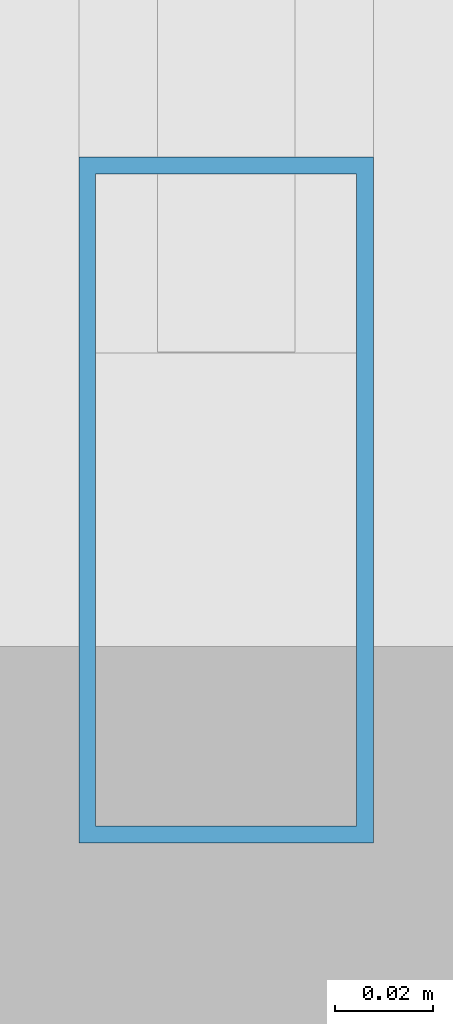
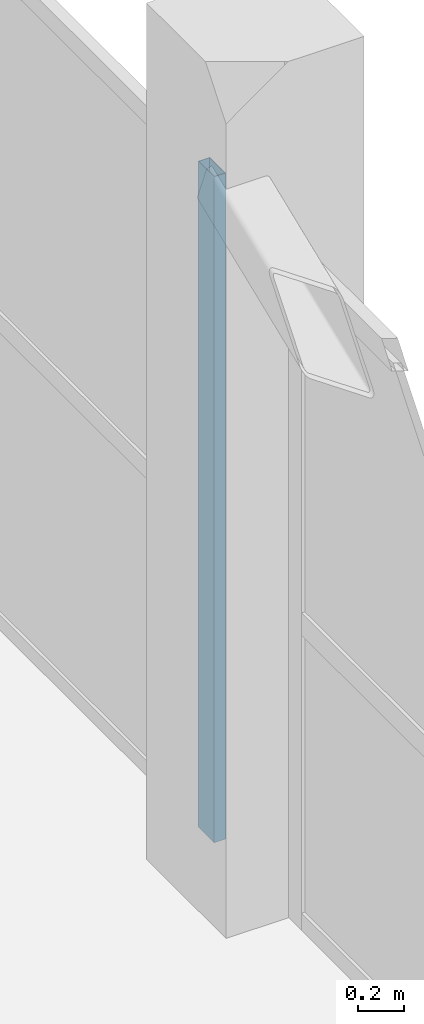
# One storey, part 14 of 58: 1 member, 1 element without a shape of its own.
"""IFC4 building model written with IfcOpenShell, lengths in metres."""

import ifcopenshell
import ifcopenshell.guid

model = None  # the IFC model being written
_history = None  # IfcOwnerHistory: only IFC2X3 demands one
_inside = {}  # id of a spatial element -> (the spatial element, [elements in it])
_under = {}  # id of a project, library or spatial element -> (it, [spatial elements below it])
_declared = {}  # id of a project -> (the project, [libraries it declares])
_typed = {}  # id of a type object -> (the type object, [elements of that type])
_made_of = {}  # id of a material, layer set ... -> (it, [elements and type objects made of it])


def new_model(schema):
    """Start an empty IFC model of exactly this schema.

    Asked for "IFC4X3", IfcOpenShell would pick the latest addendum, in which some entities
    have other attributes; the version numbers below select the first issue.
    IFC2X3 requires an IfcOwnerHistory on every rooted entity: one is made here for all.
    """
    global model, _history
    if schema == "IFC4X3":
        model = ifcopenshell.file(schema_version=(4, 3, 0, 0))
    else:
        model = ifcopenshell.file(schema=schema)
    _inside.clear()
    _under.clear()
    _declared.clear()
    _typed.clear()
    _made_of.clear()
    _history = None
    if model.schema == "IFC2X3":
        org = make("IfcOrganization", Name="unknown")
        user = make(
            "IfcPersonAndOrganization",
            ThePerson=make("IfcPerson", FamilyName="unknown"),
            TheOrganization=org,
        )
        app = make(
            "IfcApplication",
            ApplicationDeveloper=org,
            Version="unknown",
            ApplicationFullName="unknown",
            ApplicationIdentifier="unknown",
        )
        _history = make(
            "IfcOwnerHistory",
            OwningUser=user,
            OwningApplication=app,
            ChangeAction="ADDED",
            CreationDate=0,
        )
    return model


def make(cls, **values):
    """One entity of the class cls with the attributes given. An attribute that is None is left unset."""
    return model.create_entity(
        cls, **{name: value for name, value in values.items() if value is not None}
    )


def rooted(cls, **values):
    """An entity with a GlobalId (a new one), such as an element, a storey or a relation."""
    return make(cls, GlobalId=ifcopenshell.guid.new(), OwnerHistory=_history, **values)


def si_unit(unit_type, name, prefix=None):
    """IfcSIUnit, for example si_unit("LENGTHUNIT", "METRE", prefix="MILLI")."""
    return make("IfcSIUnit", UnitType=unit_type, Prefix=prefix, Name=name)


def assignment(units):
    """IfcUnitAssignment: the units of a project."""
    return None if units is None else make("IfcUnitAssignment", Units=units)


def point(xyz):
    """IfcCartesianPoint."""
    return None if xyz is None else make("IfcCartesianPoint", Coordinates=xyz)


def direction(xyz):
    """IfcDirection."""
    return None if xyz is None else make("IfcDirection", DirectionRatios=xyz)


def frame(location, z_axis=None, x_axis=None):
    """IfcAxis2Placement3D, a coordinate frame: its origin and axes. An axis left out is left unset."""
    return make(
        "IfcAxis2Placement3D",
        Location=point(location),
        Axis=direction(z_axis),
        RefDirection=direction(x_axis),
    )


def frame_2d(location, x_axis=None):
    """IfcAxis2Placement2D, a coordinate frame in the plane: its origin and x axis."""
    return make(
        "IfcAxis2Placement2D", Location=point(location), RefDirection=direction(x_axis)
    )


def origin():
    """The frame at (0, 0, 0) with its axes left unset."""
    return frame((0.0, 0.0, 0.0))


def origin_2d():
    """The frame at (0, 0) in the plane with its x axis left unset."""
    return frame_2d((0.0, 0.0))


def place(relative_to, where):
    """IfcLocalPlacement: puts the frame where relative to a parent placement (None: the world)."""
    return make(
        "IfcLocalPlacement", PlacementRelTo=relative_to, RelativePlacement=where
    )


def context(
    kind, dimensions, precision=None, world=None, true_north=None, identifier=None
):
    """IfcGeometricRepresentationContext, for example the 3D "Model" context."""
    return make(
        "IfcGeometricRepresentationContext",
        ContextIdentifier=identifier,
        ContextType=kind,
        CoordinateSpaceDimension=dimensions,
        Precision=precision,
        WorldCoordinateSystem=world,
        TrueNorth=true_north,
    )


def subcontext(parent, identifier, kind, view, scale=None):
    """IfcGeometricRepresentationSubContext, for example "Body" below "Model"."""
    return make(
        "IfcGeometricRepresentationSubContext",
        ContextIdentifier=identifier,
        ContextType=kind,
        ParentContext=parent,
        TargetScale=scale,
        TargetView=view,
    )


def project(units=None, contexts=None):
    """IfcProject with its units and contexts."""
    return rooted(
        "IfcProject",
        Name="project",
        RepresentationContexts=contexts,
        UnitsInContext=assignment(units),
    )


def spatial(cls, under=None, at=None, **own):
    """A site, building, storey or space (cls), placed at a placement, below another one or the project."""
    s = rooted(cls, ObjectPlacement=at, **own)
    if under is not None:
        _under.setdefault(under.id(), (under, []))[1].append(s)
    return s


def profile(cls, at=None, kind="AREA", **sizes):
    """A parametric profile (cls). Its sizes go by their IFC names, for example OverallWidth=200.0."""
    return make(cls, ProfileType=kind, Position=at, **sizes)


def hollow_rectangle(**sizes):
    """IfcRectangleHollowProfileDef."""
    return profile("IfcRectangleHollowProfileDef", **sizes)


def extrude(swept, where, along, depth):
    """IfcExtrudedAreaSolid: the profile swept, set in the frame where, extruded along a direction by depth."""
    return make(
        "IfcExtrudedAreaSolid",
        SweptArea=swept,
        Position=where,
        ExtrudedDirection=direction(along),
        Depth=depth,
    )


def shape(context_of_items, identifier, shape_type, items):
    """IfcShapeRepresentation: the items that make up one representation, for example the "Body"."""
    return make(
        "IfcShapeRepresentation",
        ContextOfItems=context_of_items,
        RepresentationIdentifier=identifier,
        RepresentationType=shape_type,
        Items=items,
    )


def material(Name=None, Category=None):
    """IfcMaterial."""
    return make("IfcMaterial", Name=Name, Category=Category)


def layer(
    of_material, thickness, ventilated=None, Name=None, Category=None, Priority=None
):
    """IfcMaterialLayer: one layer of a wall or slab, of a material (None: an air gap)."""
    return make(
        "IfcMaterialLayer",
        Material=of_material,
        LayerThickness=thickness,
        IsVentilated=ventilated,
        Name=Name,
        Category=Category,
        Priority=Priority,
    )


def layer_set(layers, Name=None):
    """IfcMaterialLayerSet."""
    return make("IfcMaterialLayerSet", MaterialLayers=layers, LayerSetName=Name)


def material_profile(
    of_material, cross_section, Name=None, Category=None, Priority=None
):
    """IfcMaterialProfile: a cross section and its material."""
    return make(
        "IfcMaterialProfile",
        Name=Name,
        Material=of_material,
        Profile=cross_section,
        Priority=Priority,
        Category=Category,
    )


def profile_set(profiles, Name=None, composite=None):
    """IfcMaterialProfileSet."""
    return make(
        "IfcMaterialProfileSet",
        Name=Name,
        MaterialProfiles=profiles,
        CompositeProfile=composite,
    )


def made_of(thing, what):
    """Note that an element or type object is made of a material, layer set ...; save() writes the relation."""
    if what is not None:
        _made_of.setdefault(what.id(), (what, []))[1].append(thing)
    return thing


def type_object(cls, material=None, **own):
    """A type object (cls), such as IfcWallType, which elements share."""
    return made_of(rooted(cls, **own), material)


def element(
    cls,
    number,
    at=None,
    inside=None,
    cuts=None,
    type_object=None,
    material=None,
    context=None,
    identifier="Body",
    shape_type=None,
    held_by="IfcProductDefinitionShape",
    body=None,
    shapes=None,
    **own,
):
    """One element of the class cls, such as IfcWall. Its Tag is "e" and its number.

    at: its placement. inside: the storey or other place that contains it. cuts: it is an
    opening in that element (IfcRelVoidsElement). A single representation is given by context,
    identifier, shape_type and body (its items); several are given by shapes. held_by: the class
    of the entity that holds the representations. save() writes the other relations.
    """
    e = rooted(cls, Tag="e%d" % number, ObjectPlacement=at, **own)
    if body is not None:
        shapes = [shape(context, identifier, shape_type, body)]
    if shapes is not None:
        e.Representation = make(held_by, Representations=shapes)
    if inside is not None:
        _inside.setdefault(inside.id(), (inside, []))[1].append(e)
    if cuts is not None:
        rooted(
            "IfcRelVoidsElement", RelatingBuildingElement=cuts, RelatedOpeningElement=e
        )
    if type_object is not None:
        _typed.setdefault(type_object.id(), (type_object, []))[1].append(e)
    return made_of(e, material)


def aggregate(whole, parts):
    """IfcRelAggregates: a whole, such as a stair, and the parts it consists of."""
    return rooted("IfcRelAggregates", RelatingObject=whole, RelatedObjects=parts)


def save(model, path):
    """Write the relations noted so far, then the file.

    IfcRelAggregates (storeys below a building ...), IfcRelContainedInSpatialStructure (elements
    in a storey), IfcRelDefinesByType, IfcRelAssociatesMaterial and IfcRelDeclares: one each for
    every whole, place, type object, material and project.
    """
    for whole, parts in _under.values():
        aggregate(whole, parts)
    for where, things in _inside.values():
        rooted(
            "IfcRelContainedInSpatialStructure",
            RelatedElements=things,
            RelatingStructure=where,
        )
    for kind, things in _typed.values():
        rooted("IfcRelDefinesByType", RelatedObjects=things, RelatingType=kind)
    for what, things in _made_of.values():
        rooted("IfcRelAssociatesMaterial", RelatedObjects=things, RelatingMaterial=what)
    for by, libraries in _declared.values():
        rooted("IfcRelDeclares", RelatingContext=by, RelatedDefinitions=libraries)
    model.write(path)


model = new_model("IFC4")

# Units and contexts
model_context = context("Model", 3, precision=1e-05, world=origin(), true_north=direction((0.0, 1.0)))
body_context = subcontext(model_context, "Body", "Model", "MODEL_VIEW")
ifc_project = project(units=[si_unit("LENGTHUNIT", "METRE"), si_unit("AREAUNIT", "SQUARE_METRE"), si_unit("VOLUMEUNIT", "CUBIC_METRE"), si_unit("PLANEANGLEUNIT", "RADIAN"), si_unit("MASSUNIT", "GRAM", prefix="KILO")], contexts=[model_context])

# Site, building, storey
site_placement = place(None, origin())
site = spatial("IfcSite", under=ifc_project, at=site_placement, CompositionType="ELEMENT")
building_placement = place(site_placement, origin())
building = spatial("IfcBuilding", under=site, at=building_placement, Name="Sillaruma Civic Art Gallery", CompositionType="ELEMENT")
storey_placement = place(building_placement, frame((0.0, 0.0, 28.56005859375)))
storey = spatial("IfcBuildingStorey", under=building, at=storey_placement, Name="L05", CompositionType="ELEMENT", Elevation=28.56005859375)

# Curtain wall, member
ifc_material = material(Name="Thermally Broken Extruded Aluminium 6063-T6", Category="aluminium")
ifc_layer = layer(ifc_material, 0.139892578125, Name="Thermally Broken Extruded Aluminium 6063-T6")
ifc_layer_set = layer_set([ifc_layer], Name="Thermally Broken Extruded Aluminium 6063-T6")
curtain_wall_type = type_object("IfcCurtainWallType", Name="CW-UNI-32", PredefinedType="NOTDEFINED", material=ifc_layer_set)
curtain_wall_placement = place(storey_placement, origin())
curtain_wall = element("IfcCurtainWall", 1, at=curtain_wall_placement, inside=storey, type_object=curtain_wall_type, Name="Unitised Curtain Wall CW-32 (CW-L05-E-4)", PredefinedType="NOTDEFINED")
ifc_material_profile = material_profile(ifc_material, hollow_rectangle(XDim=0.06005859375, YDim=0.139892578125, WallThickness=0.00341796875, at=origin_2d()), Name="CWM60x140")
ifc_profile_set = profile_set([ifc_material_profile], Name="Thermally Broken Extruded Aluminium 6063-T6")
member_type = type_object("IfcMemberType", Name="MEM-MUL-CWM60x140", PredefinedType="MULLION", material=ifc_profile_set)
member_placement = place(storey_placement, frame((114.39990234375, 49.8798828125, 0.0), z_axis=(0.0, 0.0, 1.0), x_axis=(-1.0, 0.0, 0.0)))
member = element("IfcMember", 2, at=member_placement, type_object=member_type, Name="CW-32 mullion 1", PredefinedType="MULLION", context=body_context, shape_type="SweptSolid", body=[
    extrude(hollow_rectangle(XDim=0.06005859375, YDim=0.139892578125, WallThickness=0.00341796875, at=origin_2d()), origin(), (0.0, 0.0, 1.0), 3.56982421875),
])
aggregate(curtain_wall, [member])

save(model, "model.ifc")
